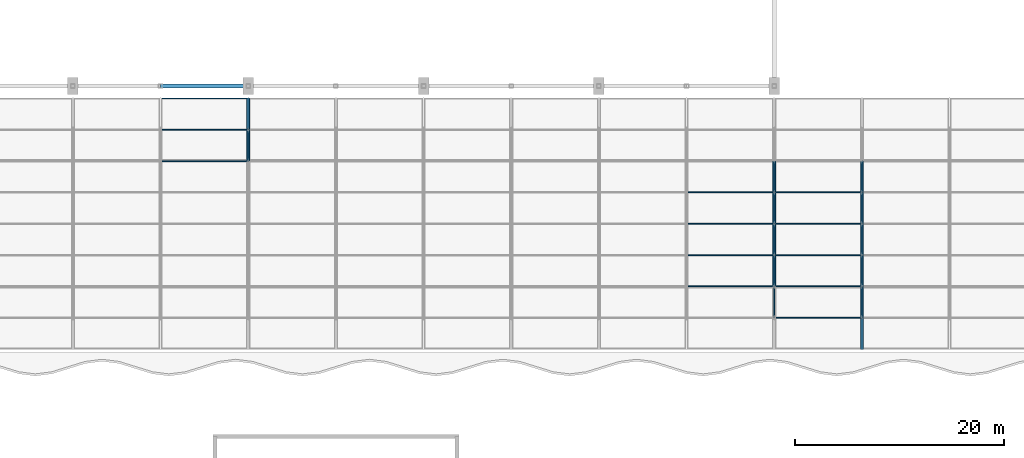
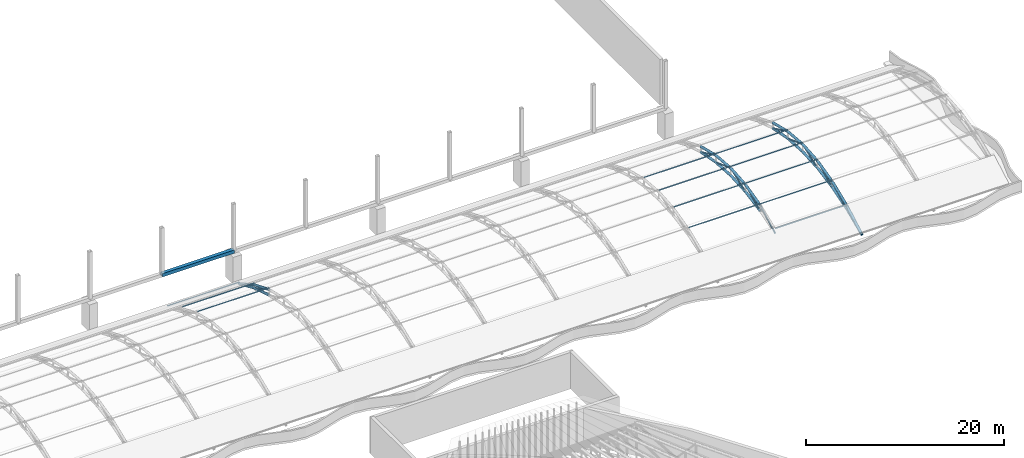
# One storey, part 53 of 163: 48 members.
"""IFC4 building model written with IfcOpenShell, lengths in metres."""

import ifcopenshell
import ifcopenshell.guid

model = None  # the IFC model being written
_history = None  # IfcOwnerHistory: only IFC2X3 demands one
_inside = {}  # id of a spatial element -> (the spatial element, [elements in it])
_under = {}  # id of a project, library or spatial element -> (it, [spatial elements below it])
_declared = {}  # id of a project -> (the project, [libraries it declares])
_typed = {}  # id of a type object -> (the type object, [elements of that type])
_made_of = {}  # id of a material, layer set ... -> (it, [elements and type objects made of it])


def new_model(schema):
    """Start an empty IFC model of exactly this schema.

    Asked for "IFC4X3", IfcOpenShell would pick the latest addendum, in which some entities
    have other attributes; the version numbers below select the first issue.
    IFC2X3 requires an IfcOwnerHistory on every rooted entity: one is made here for all.
    """
    global model, _history
    if schema == "IFC4X3":
        model = ifcopenshell.file(schema_version=(4, 3, 0, 0))
    else:
        model = ifcopenshell.file(schema=schema)
    _inside.clear()
    _under.clear()
    _declared.clear()
    _typed.clear()
    _made_of.clear()
    _history = None
    if model.schema == "IFC2X3":
        org = make("IfcOrganization", Name="unknown")
        user = make(
            "IfcPersonAndOrganization",
            ThePerson=make("IfcPerson", FamilyName="unknown"),
            TheOrganization=org,
        )
        app = make(
            "IfcApplication",
            ApplicationDeveloper=org,
            Version="unknown",
            ApplicationFullName="unknown",
            ApplicationIdentifier="unknown",
        )
        _history = make(
            "IfcOwnerHistory",
            OwningUser=user,
            OwningApplication=app,
            ChangeAction="ADDED",
            CreationDate=0,
        )
    return model


def make(cls, **values):
    """One entity of the class cls with the attributes given. An attribute that is None is left unset."""
    return model.create_entity(
        cls, **{name: value for name, value in values.items() if value is not None}
    )


def rooted(cls, **values):
    """An entity with a GlobalId (a new one), such as an element, a storey or a relation."""
    return make(cls, GlobalId=ifcopenshell.guid.new(), OwnerHistory=_history, **values)


def si_unit(unit_type, name, prefix=None):
    """IfcSIUnit, for example si_unit("LENGTHUNIT", "METRE", prefix="MILLI")."""
    return make("IfcSIUnit", UnitType=unit_type, Prefix=prefix, Name=name)


def assignment(units):
    """IfcUnitAssignment: the units of a project."""
    return None if units is None else make("IfcUnitAssignment", Units=units)


def point(xyz):
    """IfcCartesianPoint."""
    return None if xyz is None else make("IfcCartesianPoint", Coordinates=xyz)


def direction(xyz):
    """IfcDirection."""
    return None if xyz is None else make("IfcDirection", DirectionRatios=xyz)


def frame(location, z_axis=None, x_axis=None):
    """IfcAxis2Placement3D, a coordinate frame: its origin and axes. An axis left out is left unset."""
    return make(
        "IfcAxis2Placement3D",
        Location=point(location),
        Axis=direction(z_axis),
        RefDirection=direction(x_axis),
    )


def frame_2d(location, x_axis=None):
    """IfcAxis2Placement2D, a coordinate frame in the plane: its origin and x axis."""
    return make(
        "IfcAxis2Placement2D", Location=point(location), RefDirection=direction(x_axis)
    )


def origin():
    """The frame at (0, 0, 0) with its axes left unset."""
    return frame((0.0, 0.0, 0.0))


def origin_2d():
    """The frame at (0, 0) in the plane with its x axis left unset."""
    return frame_2d((0.0, 0.0))


def place(relative_to, where):
    """IfcLocalPlacement: puts the frame where relative to a parent placement (None: the world)."""
    return make(
        "IfcLocalPlacement", PlacementRelTo=relative_to, RelativePlacement=where
    )


def context(
    kind, dimensions, precision=None, world=None, true_north=None, identifier=None
):
    """IfcGeometricRepresentationContext, for example the 3D "Model" context."""
    return make(
        "IfcGeometricRepresentationContext",
        ContextIdentifier=identifier,
        ContextType=kind,
        CoordinateSpaceDimension=dimensions,
        Precision=precision,
        WorldCoordinateSystem=world,
        TrueNorth=true_north,
    )


def subcontext(parent, identifier, kind, view, scale=None):
    """IfcGeometricRepresentationSubContext, for example "Body" below "Model"."""
    return make(
        "IfcGeometricRepresentationSubContext",
        ContextIdentifier=identifier,
        ContextType=kind,
        ParentContext=parent,
        TargetScale=scale,
        TargetView=view,
    )


def project(units=None, contexts=None):
    """IfcProject with its units and contexts."""
    return rooted(
        "IfcProject",
        Name="project",
        RepresentationContexts=contexts,
        UnitsInContext=assignment(units),
    )


def spatial(cls, under=None, at=None, **own):
    """A site, building, storey or space (cls), placed at a placement, below another one or the project."""
    s = rooted(cls, ObjectPlacement=at, **own)
    if under is not None:
        _under.setdefault(under.id(), (under, []))[1].append(s)
    return s


def profile(cls, at=None, kind="AREA", **sizes):
    """A parametric profile (cls). Its sizes go by their IFC names, for example OverallWidth=200.0."""
    return make(cls, ProfileType=kind, Position=at, **sizes)


def hollow_rectangle(**sizes):
    """IfcRectangleHollowProfileDef."""
    return profile("IfcRectangleHollowProfileDef", **sizes)


def hollow_circle(**sizes):
    """IfcCircleHollowProfileDef."""
    return profile("IfcCircleHollowProfileDef", **sizes)


def extrude(swept, where, along, depth):
    """IfcExtrudedAreaSolid: the profile swept, set in the frame where, extruded along a direction by depth."""
    return make(
        "IfcExtrudedAreaSolid",
        SweptArea=swept,
        Position=where,
        ExtrudedDirection=direction(along),
        Depth=depth,
    )


def shape(context_of_items, identifier, shape_type, items):
    """IfcShapeRepresentation: the items that make up one representation, for example the "Body"."""
    return make(
        "IfcShapeRepresentation",
        ContextOfItems=context_of_items,
        RepresentationIdentifier=identifier,
        RepresentationType=shape_type,
        Items=items,
    )


def material(Name=None, Category=None):
    """IfcMaterial."""
    return make("IfcMaterial", Name=Name, Category=Category)


def material_profile(
    of_material, cross_section, Name=None, Category=None, Priority=None
):
    """IfcMaterialProfile: a cross section and its material."""
    return make(
        "IfcMaterialProfile",
        Name=Name,
        Material=of_material,
        Profile=cross_section,
        Priority=Priority,
        Category=Category,
    )


def profile_set(profiles, Name=None, composite=None):
    """IfcMaterialProfileSet."""
    return make(
        "IfcMaterialProfileSet",
        Name=Name,
        MaterialProfiles=profiles,
        CompositeProfile=composite,
    )


def made_of(thing, what):
    """Note that an element or type object is made of a material, layer set ...; save() writes the relation."""
    if what is not None:
        _made_of.setdefault(what.id(), (what, []))[1].append(thing)
    return thing


def type_object(cls, material=None, **own):
    """A type object (cls), such as IfcWallType, which elements share."""
    return made_of(rooted(cls, **own), material)


def element(
    cls,
    number,
    at=None,
    inside=None,
    cuts=None,
    type_object=None,
    material=None,
    context=None,
    identifier="Body",
    shape_type=None,
    held_by="IfcProductDefinitionShape",
    body=None,
    shapes=None,
    **own,
):
    """One element of the class cls, such as IfcWall. Its Tag is "e" and its number.

    at: its placement. inside: the storey or other place that contains it. cuts: it is an
    opening in that element (IfcRelVoidsElement). A single representation is given by context,
    identifier, shape_type and body (its items); several are given by shapes. held_by: the class
    of the entity that holds the representations. save() writes the other relations.
    """
    e = rooted(cls, Tag="e%d" % number, ObjectPlacement=at, **own)
    if body is not None:
        shapes = [shape(context, identifier, shape_type, body)]
    if shapes is not None:
        e.Representation = make(held_by, Representations=shapes)
    if inside is not None:
        _inside.setdefault(inside.id(), (inside, []))[1].append(e)
    if cuts is not None:
        rooted(
            "IfcRelVoidsElement", RelatingBuildingElement=cuts, RelatedOpeningElement=e
        )
    if type_object is not None:
        _typed.setdefault(type_object.id(), (type_object, []))[1].append(e)
    return made_of(e, material)


def aggregate(whole, parts):
    """IfcRelAggregates: a whole, such as a stair, and the parts it consists of."""
    return rooted("IfcRelAggregates", RelatingObject=whole, RelatedObjects=parts)


def save(model, path):
    """Write the relations noted so far, then the file.

    IfcRelAggregates (storeys below a building ...), IfcRelContainedInSpatialStructure (elements
    in a storey), IfcRelDefinesByType, IfcRelAssociatesMaterial and IfcRelDeclares: one each for
    every whole, place, type object, material and project.
    """
    for whole, parts in _under.values():
        aggregate(whole, parts)
    for where, things in _inside.values():
        rooted(
            "IfcRelContainedInSpatialStructure",
            RelatedElements=things,
            RelatingStructure=where,
        )
    for kind, things in _typed.values():
        rooted("IfcRelDefinesByType", RelatedObjects=things, RelatingType=kind)
    for what, things in _made_of.values():
        rooted("IfcRelAssociatesMaterial", RelatedObjects=things, RelatingMaterial=what)
    for by, libraries in _declared.values():
        rooted("IfcRelDeclares", RelatingContext=by, RelatedDefinitions=libraries)
    model.write(path)


model = new_model("IFC4")

# Units and contexts
model_context = context("Model", 3, precision=1e-05, world=origin(), true_north=direction((0.0, 1.0)))
body_context = subcontext(model_context, "Body", "Model", "MODEL_VIEW")
ifc_project = project(units=[si_unit("LENGTHUNIT", "METRE"), si_unit("AREAUNIT", "SQUARE_METRE"), si_unit("VOLUMEUNIT", "CUBIC_METRE"), si_unit("PLANEANGLEUNIT", "RADIAN"), si_unit("MASSUNIT", "GRAM", prefix="KILO")], contexts=[model_context])

# Site, building, storey
site_placement = place(None, origin())
site = spatial("IfcSite", under=ifc_project, at=site_placement, CompositionType="ELEMENT")
building_placement = place(site_placement, origin())
building = spatial("IfcBuilding", under=site, at=building_placement, Name="Rain Tree Exposition and Congress Centre", CompositionType="ELEMENT")
storey_placement = place(building_placement, frame((0.0, 0.0, 10.5)))
storey = spatial("IfcBuildingStorey", under=building, at=storey_placement, Name="L02", CompositionType="ELEMENT", Elevation=10.5)

# Members
ifc_material_1 = material(Name="Steel S355J2H", Category="steel")
ifc_material_profile_1 = material_profile(ifc_material_1, hollow_circle(Radius=0.090087890625, WallThickness=0.008056640625, at=origin_2d()), Name="CHS 180x8")
ifc_profile_set_1 = profile_set([ifc_material_profile_1], Name="Steel S355J2H")
member_type_1 = type_object("IfcMemberType", Name="Steel brace member CHS 180x8", PredefinedType="BRACE", material=ifc_profile_set_1)
for number, where, z_axis, x_axis, name in (
    (1, (193.199951171875, 96.60009765625, 1.4423828125), (0.0, -0.880818418444, 0.473454236151), (1.0, 0.0, 0.0), "Roof truss 24 diagonal 6"),
    (2, (243.60009765625, 78.60009765625, 1.4423828125), (0.0, 0.880818418444, 0.473454236151), (-1.0, 0.0, 0.0), "Roof truss 30 diagonal 1"),
):
    element("IfcMember", number, at=place(storey_placement, frame(where, z_axis=z_axis, x_axis=x_axis)), inside=storey, type_object=member_type_1, Name=name, PredefinedType="BRACE", context=body_context, shape_type="SweptSolid", body=[
        extrude(hollow_circle(Radius=0.090087890625, WallThickness=0.008056640625, at=origin_2d()), origin(), (0.0, 0.0, 1.0), 3.406005859375),
    ])
member_1_placement = place(storey_placement, frame((243.60009765625, 81.60009765625, 2.3798828125), z_axis=(0.0, 0.905430616583, 0.424494285655), x_axis=(-1.0, 0.0, 0.0)))
element("IfcMember", 3, at=member_1_placement, inside=storey, type_object=member_type_1, Name="Roof truss 30 diagonal 2", PredefinedType="BRACE", context=body_context, shape_type="SweptSolid", body=[
    extrude(hollow_circle(Radius=0.090087890625, WallThickness=0.008056640625, at=origin_2d()), origin(), (0.0, 0.0, 1.0), 3.313232421875),
])
for number, where, z_axis, x_axis, name in (
    (4, (243.60009765625, 84.60009765625, 2.9423828125), (0.0, 0.940121356633, 0.340839896143), (-1.0, 0.0, 0.0), "Roof truss 30 diagonal 3"),
    (5, (243.60009765625, 90.60009765625, 2.9423828125), (0.0, -0.940121356633, 0.340839896143), (1.0, 0.0, 0.0), "Roof truss 30 diagonal 4"),
):
    element("IfcMember", number, at=place(storey_placement, frame(where, z_axis=z_axis, x_axis=x_axis)), inside=storey, type_object=member_type_1, Name=name, PredefinedType="BRACE", context=body_context, shape_type="SweptSolid", body=[
        extrude(hollow_circle(Radius=0.090087890625, WallThickness=0.008056640625, at=origin_2d()), origin(), (0.0, 0.0, 1.0), 3.191162109375),
    ])
member_2_placement = place(storey_placement, frame((243.60009765625, 93.60009765625, 2.3798828125), z_axis=(0.0, -0.905430616583, 0.424494285655), x_axis=(1.0, 0.0, 0.0)))
element("IfcMember", 6, at=member_2_placement, inside=storey, type_object=member_type_1, Name="Roof truss 30 diagonal 5", PredefinedType="BRACE", context=body_context, shape_type="SweptSolid", body=[
    extrude(hollow_circle(Radius=0.090087890625, WallThickness=0.008056640625, at=origin_2d()), origin(), (0.0, 0.0, 1.0), 3.313232421875),
])
member_3_placement = place(storey_placement, frame((252.0, 78.60009765625, 1.4423828125), z_axis=(0.0, 0.880818418444, 0.473454236151), x_axis=(-1.0, 0.0, 0.0)))
element("IfcMember", 7, at=member_3_placement, inside=storey, type_object=member_type_1, Name="Roof truss 31 diagonal 1", PredefinedType="BRACE", context=body_context, shape_type="SweptSolid", body=[
    extrude(hollow_circle(Radius=0.090087890625, WallThickness=0.008056640625, at=origin_2d()), origin(), (0.0, 0.0, 1.0), 3.406005859375),
])
member_4_placement = place(storey_placement, frame((252.0, 81.60009765625, 2.3798828125), z_axis=(0.0, 0.905430616583, 0.424494285655), x_axis=(-1.0, 0.0, 0.0)))
element("IfcMember", 8, at=member_4_placement, inside=storey, type_object=member_type_1, Name="Roof truss 31 diagonal 2", PredefinedType="BRACE", context=body_context, shape_type="SweptSolid", body=[
    extrude(hollow_circle(Radius=0.090087890625, WallThickness=0.008056640625, at=origin_2d()), origin(), (0.0, 0.0, 1.0), 3.313232421875),
])
for number, where, z_axis, x_axis, name in (
    (9, (252.0, 84.60009765625, 2.9423828125), (0.0, 0.940121356633, 0.340839896143), (-1.0, 0.0, 0.0), "Roof truss 31 diagonal 3"),
    (10, (252.0, 90.60009765625, 2.9423828125), (0.0, -0.940121356633, 0.340839896143), (1.0, 0.0, 0.0), "Roof truss 31 diagonal 4"),
):
    element("IfcMember", number, at=place(storey_placement, frame(where, z_axis=z_axis, x_axis=x_axis)), inside=storey, type_object=member_type_1, Name=name, PredefinedType="BRACE", context=body_context, shape_type="SweptSolid", body=[
        extrude(hollow_circle(Radius=0.090087890625, WallThickness=0.008056640625, at=origin_2d()), origin(), (0.0, 0.0, 1.0), 3.191162109375),
    ])
member_5_placement = place(storey_placement, frame((252.0, 93.60009765625, 2.3798828125), z_axis=(0.0, -0.905430616583, 0.424494285655), x_axis=(1.0, 0.0, 0.0)))
element("IfcMember", 11, at=member_5_placement, inside=storey, type_object=member_type_1, Name="Roof truss 31 diagonal 5", PredefinedType="BRACE", context=body_context, shape_type="SweptSolid", body=[
    extrude(hollow_circle(Radius=0.090087890625, WallThickness=0.008056640625, at=origin_2d()), origin(), (0.0, 0.0, 1.0), 3.313232421875),
])
ifc_material_2 = material(Name="Steel S355J2H", Category="steel")
ifc_material_profile_2 = material_profile(ifc_material_2, hollow_circle(Radius=0.14990234375, WallThickness=0.013916015625, at=origin_2d()), Name="CHS 300x14")
ifc_profile_set_2 = profile_set([ifc_material_profile_2], Name="Steel S355J2H")
member_type_2 = type_object("IfcMemberType", Name="Steel chord member CHS 300x14", PredefinedType="CHORD", material=ifc_profile_set_2)
member_6_placement = place(storey_placement, frame((193.199951171875, 93.60009765625, 3.054931640625), z_axis=(0.0, 0.926466577122, -0.376377046956), x_axis=(-1.0, 0.0, 0.0)))
element("IfcMember", 12, at=member_6_placement, inside=storey, type_object=member_type_2, Name="Roof truss 24 top chord 7", PredefinedType="CHORD", context=body_context, shape_type="SweptSolid", body=[
    extrude(hollow_circle(Radius=0.14990234375, WallThickness=0.013916015625, at=origin_2d()), origin(), (0.0, 0.0, 1.0), 3.238037109375),
])
member_7_placement = place(storey_placement, frame((193.199951171875, 93.60009765625, 2.3798828125), z_axis=(0.0, 0.954479978035, -0.298274993136), x_axis=(-1.0, 0.0, 0.0)))
element("IfcMember", 13, at=member_7_placement, inside=storey, type_object=member_type_2, Name="Roof truss 24 bottom chord 7", PredefinedType="CHORD", context=body_context, shape_type="SweptSolid", body=[
    extrude(hollow_circle(Radius=0.14990234375, WallThickness=0.013916015625, at=origin_2d()), origin(), (0.0, 0.0, 1.0), 3.14306640625),
])
member_8_placement = place(storey_placement, frame((193.199951171875, 96.60009765625, 1.836181640625), z_axis=(0.0, 0.869238262324, -0.494393409455), x_axis=(-1.0, 0.0, 0.0)))
element("IfcMember", 14, at=member_8_placement, inside=storey, type_object=member_type_2, Name="Roof truss 24 top chord 8", PredefinedType="CHORD", context=body_context, shape_type="SweptSolid", body=[
    extrude(hollow_circle(Radius=0.14990234375, WallThickness=0.013916015625, at=origin_2d()), origin(), (0.0, 0.0, 1.0), 3.451416015625),
])
member_9_placement = place(storey_placement, frame((193.199951171875, 96.60009765625, 1.4423828125), z_axis=(0.0, 0.916157334902, -0.40081883402), x_axis=(-1.0, 0.0, 0.0)))
element("IfcMember", 15, at=member_9_placement, inside=storey, type_object=member_type_2, Name="Roof truss 24 bottom chord 8", PredefinedType="CHORD", context=body_context, shape_type="SweptSolid", body=[
    extrude(hollow_circle(Radius=0.14990234375, WallThickness=0.013916015625, at=origin_2d()), origin(), (0.0, 0.0, 1.0), 3.274658203125),
])
member_10_placement = place(storey_placement, frame((243.60009765625, 81.60009765625, 3.054931640625), z_axis=(0.0, 0.971539868448, 0.236876094228), x_axis=(-1.0, 0.0, 0.0)))
element("IfcMember", 16, at=member_10_placement, inside=storey, type_object=member_type_2, Name="Roof truss 30 top chord 3", PredefinedType="CHORD", context=body_context, shape_type="SweptSolid", body=[
    extrude(hollow_circle(Radius=0.14990234375, WallThickness=0.013916015625, at=origin_2d()), origin(), (0.0, 0.0, 1.0), 3.087890625),
])
member_11_placement = place(storey_placement, frame((243.60009765625, 81.60009765625, 2.3798828125), z_axis=(0.0, 0.982872186934, 0.18428853505), x_axis=(-1.0, 0.0, 0.0)))
element("IfcMember", 17, at=member_11_placement, inside=storey, type_object=member_type_2, Name="Roof truss 30 bottom chord 3", PredefinedType="CHORD", context=body_context, shape_type="SweptSolid", body=[
    extrude(hollow_circle(Radius=0.14990234375, WallThickness=0.013916015625, at=origin_2d()), origin(), (0.0, 0.0, 1.0), 3.05224609375),
])
member_12_placement = place(storey_placement, frame((243.60009765625, 84.60009765625, 3.786376953125), z_axis=(0.0, 0.996718090462, 0.0809508996), x_axis=(-1.0, 0.0, 0.0)))
element("IfcMember", 18, at=member_12_placement, inside=storey, type_object=member_type_2, Name="Roof truss 30 top chord 4", PredefinedType="CHORD", context=body_context, shape_type="SweptSolid", body=[
    extrude(hollow_circle(Radius=0.14990234375, WallThickness=0.013916015625, at=origin_2d()), origin(), (0.0, 0.0, 1.0), 3.009765625),
])
member_13_placement = place(storey_placement, frame((243.60009765625, 84.60009765625, 2.9423828125), z_axis=(0.0, 0.998052578483, 0.062378286155), x_axis=(-1.0, 0.0, 0.0)))
element("IfcMember", 19, at=member_13_placement, inside=storey, type_object=member_type_2, Name="Roof truss 30 bottom chord 4", PredefinedType="CHORD", context=body_context, shape_type="SweptSolid", body=[
    extrude(hollow_circle(Radius=0.14990234375, WallThickness=0.013916015625, at=origin_2d()), origin(), (0.0, 0.0, 1.0), 3.005859375),
])
member_14_placement = place(storey_placement, frame((243.60009765625, 87.60009765625, 4.030029296875), z_axis=(0.0, 0.996718090462, -0.0809508996), x_axis=(-1.0, 0.0, 0.0)))
element("IfcMember", 20, at=member_14_placement, inside=storey, type_object=member_type_2, Name="Roof truss 30 top chord 5", PredefinedType="CHORD", context=body_context, shape_type="SweptSolid", body=[
    extrude(hollow_circle(Radius=0.14990234375, WallThickness=0.013916015625, at=origin_2d()), origin(), (0.0, 0.0, 1.0), 3.009765625),
])
member_15_placement = place(storey_placement, frame((243.60009765625, 87.60009765625, 3.1298828125), z_axis=(0.0, 0.998052578483, -0.062378286155), x_axis=(-1.0, 0.0, 0.0)))
element("IfcMember", 21, at=member_15_placement, inside=storey, type_object=member_type_2, Name="Roof truss 30 bottom chord 5", PredefinedType="CHORD", context=body_context, shape_type="SweptSolid", body=[
    extrude(hollow_circle(Radius=0.14990234375, WallThickness=0.013916015625, at=origin_2d()), origin(), (0.0, 0.0, 1.0), 3.005859375),
])
member_16_placement = place(storey_placement, frame((243.60009765625, 90.60009765625, 3.786376953125), z_axis=(0.0, 0.971539868448, -0.236876094228), x_axis=(-1.0, 0.0, 0.0)))
element("IfcMember", 22, at=member_16_placement, inside=storey, type_object=member_type_2, Name="Roof truss 30 top chord 6", PredefinedType="CHORD", context=body_context, shape_type="SweptSolid", body=[
    extrude(hollow_circle(Radius=0.14990234375, WallThickness=0.013916015625, at=origin_2d()), origin(), (0.0, 0.0, 1.0), 3.087890625),
])
member_17_placement = place(storey_placement, frame((243.60009765625, 90.60009765625, 2.9423828125), z_axis=(0.0, 0.982872186934, -0.18428853505), x_axis=(-1.0, 0.0, 0.0)))
element("IfcMember", 23, at=member_17_placement, inside=storey, type_object=member_type_2, Name="Roof truss 30 bottom chord 6", PredefinedType="CHORD", context=body_context, shape_type="SweptSolid", body=[
    extrude(hollow_circle(Radius=0.14990234375, WallThickness=0.013916015625, at=origin_2d()), origin(), (0.0, 0.0, 1.0), 3.05224609375),
])
member_18_placement = place(storey_placement, frame((252.0, 75.60009765625, 0.1298828125), z_axis=(0.0, 0.869238262324, 0.494393409455), x_axis=(-1.0, 0.0, 0.0)))
element("IfcMember", 24, at=member_18_placement, inside=storey, type_object=member_type_2, Name="Roof truss 31 top chord 1", PredefinedType="CHORD", context=body_context, shape_type="SweptSolid", body=[
    extrude(hollow_circle(Radius=0.14990234375, WallThickness=0.013916015625, at=origin_2d()), origin(), (0.0, 0.0, 1.0), 3.451416015625),
])
member_19_placement = place(storey_placement, frame((252.0, 75.60009765625, 0.1298828125), z_axis=(0.0, 0.916157334902, 0.40081883402), x_axis=(-1.0, 0.0, 0.0)))
element("IfcMember", 25, at=member_19_placement, inside=storey, type_object=member_type_2, Name="Roof truss 31 bottom chord 1", PredefinedType="CHORD", context=body_context, shape_type="SweptSolid", body=[
    extrude(hollow_circle(Radius=0.14990234375, WallThickness=0.013916015625, at=origin_2d()), origin(), (0.0, 0.0, 1.0), 3.274658203125),
])
member_20_placement = place(storey_placement, frame((252.0, 78.60009765625, 1.836181640625), z_axis=(0.0, 0.926466577122, 0.376377046956), x_axis=(-1.0, 0.0, 0.0)))
element("IfcMember", 26, at=member_20_placement, inside=storey, type_object=member_type_2, Name="Roof truss 31 top chord 2", PredefinedType="CHORD", context=body_context, shape_type="SweptSolid", body=[
    extrude(hollow_circle(Radius=0.14990234375, WallThickness=0.013916015625, at=origin_2d()), origin(), (0.0, 0.0, 1.0), 3.238037109375),
])
member_21_placement = place(storey_placement, frame((252.0, 78.60009765625, 1.4423828125), z_axis=(0.0, 0.954479978035, 0.298274993136), x_axis=(-1.0, 0.0, 0.0)))
element("IfcMember", 27, at=member_21_placement, inside=storey, type_object=member_type_2, Name="Roof truss 31 bottom chord 2", PredefinedType="CHORD", context=body_context, shape_type="SweptSolid", body=[
    extrude(hollow_circle(Radius=0.14990234375, WallThickness=0.013916015625, at=origin_2d()), origin(), (0.0, 0.0, 1.0), 3.14306640625),
])
member_22_placement = place(storey_placement, frame((252.0, 81.60009765625, 3.054931640625), z_axis=(0.0, 0.971539868448, 0.236876094228), x_axis=(-1.0, 0.0, 0.0)))
element("IfcMember", 28, at=member_22_placement, inside=storey, type_object=member_type_2, Name="Roof truss 31 top chord 3", PredefinedType="CHORD", context=body_context, shape_type="SweptSolid", body=[
    extrude(hollow_circle(Radius=0.14990234375, WallThickness=0.013916015625, at=origin_2d()), origin(), (0.0, 0.0, 1.0), 3.087890625),
])
member_23_placement = place(storey_placement, frame((252.0, 81.60009765625, 2.3798828125), z_axis=(0.0, 0.982872186934, 0.18428853505), x_axis=(-1.0, 0.0, 0.0)))
element("IfcMember", 29, at=member_23_placement, inside=storey, type_object=member_type_2, Name="Roof truss 31 bottom chord 3", PredefinedType="CHORD", context=body_context, shape_type="SweptSolid", body=[
    extrude(hollow_circle(Radius=0.14990234375, WallThickness=0.013916015625, at=origin_2d()), origin(), (0.0, 0.0, 1.0), 3.05224609375),
])
member_24_placement = place(storey_placement, frame((252.0, 84.60009765625, 3.786376953125), z_axis=(0.0, 0.996718090462, 0.0809508996), x_axis=(-1.0, 0.0, 0.0)))
element("IfcMember", 30, at=member_24_placement, inside=storey, type_object=member_type_2, Name="Roof truss 31 top chord 4", PredefinedType="CHORD", context=body_context, shape_type="SweptSolid", body=[
    extrude(hollow_circle(Radius=0.14990234375, WallThickness=0.013916015625, at=origin_2d()), origin(), (0.0, 0.0, 1.0), 3.009765625),
])
member_25_placement = place(storey_placement, frame((252.0, 84.60009765625, 2.9423828125), z_axis=(0.0, 0.998052578483, 0.062378286155), x_axis=(-1.0, 0.0, 0.0)))
element("IfcMember", 31, at=member_25_placement, inside=storey, type_object=member_type_2, Name="Roof truss 31 bottom chord 4", PredefinedType="CHORD", context=body_context, shape_type="SweptSolid", body=[
    extrude(hollow_circle(Radius=0.14990234375, WallThickness=0.013916015625, at=origin_2d()), origin(), (0.0, 0.0, 1.0), 3.005859375),
])
member_26_placement = place(storey_placement, frame((252.0, 87.60009765625, 4.030029296875), z_axis=(0.0, 0.996718090462, -0.0809508996), x_axis=(-1.0, 0.0, 0.0)))
element("IfcMember", 32, at=member_26_placement, inside=storey, type_object=member_type_2, Name="Roof truss 31 top chord 5", PredefinedType="CHORD", context=body_context, shape_type="SweptSolid", body=[
    extrude(hollow_circle(Radius=0.14990234375, WallThickness=0.013916015625, at=origin_2d()), origin(), (0.0, 0.0, 1.0), 3.009765625),
])
member_27_placement = place(storey_placement, frame((252.0, 87.60009765625, 3.1298828125), z_axis=(0.0, 0.998052578483, -0.062378286155), x_axis=(-1.0, 0.0, 0.0)))
element("IfcMember", 33, at=member_27_placement, inside=storey, type_object=member_type_2, Name="Roof truss 31 bottom chord 5", PredefinedType="CHORD", context=body_context, shape_type="SweptSolid", body=[
    extrude(hollow_circle(Radius=0.14990234375, WallThickness=0.013916015625, at=origin_2d()), origin(), (0.0, 0.0, 1.0), 3.005859375),
])
member_28_placement = place(storey_placement, frame((252.0, 90.60009765625, 3.786376953125), z_axis=(0.0, 0.971539868448, -0.236876094228), x_axis=(-1.0, 0.0, 0.0)))
element("IfcMember", 34, at=member_28_placement, inside=storey, type_object=member_type_2, Name="Roof truss 31 top chord 6", PredefinedType="CHORD", context=body_context, shape_type="SweptSolid", body=[
    extrude(hollow_circle(Radius=0.14990234375, WallThickness=0.013916015625, at=origin_2d()), origin(), (0.0, 0.0, 1.0), 3.087890625),
])
member_29_placement = place(storey_placement, frame((252.0, 90.60009765625, 2.9423828125), z_axis=(0.0, 0.982872186934, -0.18428853505), x_axis=(-1.0, 0.0, 0.0)))
element("IfcMember", 35, at=member_29_placement, inside=storey, type_object=member_type_2, Name="Roof truss 31 bottom chord 6", PredefinedType="CHORD", context=body_context, shape_type="SweptSolid", body=[
    extrude(hollow_circle(Radius=0.14990234375, WallThickness=0.013916015625, at=origin_2d()), origin(), (0.0, 0.0, 1.0), 3.05224609375),
])
ifc_material_3 = material(Name="Steel S355J2H", Category="steel")
ifc_material_profile_3 = material_profile(ifc_material_3, hollow_rectangle(XDim=0.39990234375, YDim=0.39990234375, WallThickness=0.011962890625, at=origin_2d()), Name="RHS 400x400x12")
ifc_profile_set_3 = profile_set([ifc_material_profile_3], Name="Steel S355J2H")
member_type_3 = type_object("IfcMemberType", Name="Steel chord member RHS 400x400x12", PredefinedType="CHORD", material=ifc_profile_set_3)
member_30_placement = place(storey_placement, frame((184.800048828125, 100.800048828125, 3.5), z_axis=(1.0, 0.0, 0.0), x_axis=(0.0, 1.0, 0.0)))
element("IfcMember", 36, at=member_30_placement, inside=storey, type_object=member_type_3, Name="Eaves chord 1158", PredefinedType="CHORD", context=body_context, shape_type="SweptSolid", body=[
    extrude(hollow_rectangle(XDim=0.39990234375, YDim=0.39990234375, WallThickness=0.011962890625, at=origin_2d()), origin(), (0.0, 0.0, 1.0), 8.39990234375),
])
ifc_material_4 = material(Name="Steel S355J2H", Category="steel")
ifc_material_profile_4 = material_profile(ifc_material_4, hollow_circle(Radius=0.070068359375, WallThickness=0.006103515625, at=origin_2d()), Name="CHS 140x6")
ifc_profile_set_4 = profile_set([ifc_material_profile_4], Name="Steel S355J2H")
member_type_4 = type_object("IfcMemberType", Name="Steel purlin member CHS 140x6", PredefinedType="PURLIN", material=ifc_profile_set_4)
member_31_placement = place(storey_placement, frame((243.60009765625, 78.60009765625, 2.056396484375), z_axis=(1.0, 0.0, 0.0), x_axis=(0.0, 1.0, 0.0)))
element("IfcMember", 37, at=member_31_placement, inside=storey, type_object=member_type_4, Name="Roof purlin 2.30", PredefinedType="PURLIN", context=body_context, shape_type="SweptSolid", body=[
    extrude(hollow_circle(Radius=0.070068359375, WallThickness=0.006103515625, at=origin_2d()), origin(), (0.0, 0.0, 1.0), 8.39990234375),
])
member_32_placement = place(storey_placement, frame((235.199951171875, 81.60009765625, 3.27490234375), z_axis=(1.0, 0.0, 0.0), x_axis=(0.0, 1.0, 0.0)))
element("IfcMember", 38, at=member_32_placement, inside=storey, type_object=member_type_4, Name="Roof purlin 3.29", PredefinedType="PURLIN", context=body_context, shape_type="SweptSolid", body=[
    extrude(hollow_circle(Radius=0.070068359375, WallThickness=0.006103515625, at=origin_2d()), origin(), (0.0, 0.0, 1.0), 8.400146484375),
])
member_33_placement = place(storey_placement, frame((243.60009765625, 81.60009765625, 3.27490234375), z_axis=(1.0, 0.0, 0.0), x_axis=(0.0, 1.0, 0.0)))
element("IfcMember", 39, at=member_33_placement, inside=storey, type_object=member_type_4, Name="Roof purlin 3.30", PredefinedType="PURLIN", context=body_context, shape_type="SweptSolid", body=[
    extrude(hollow_circle(Radius=0.070068359375, WallThickness=0.006103515625, at=origin_2d()), origin(), (0.0, 0.0, 1.0), 8.39990234375),
])
member_34_placement = place(storey_placement, frame((235.199951171875, 84.60009765625, 4.00634765625), z_axis=(1.0, 0.0, 0.0), x_axis=(0.0, 1.0, 0.0)))
element("IfcMember", 40, at=member_34_placement, inside=storey, type_object=member_type_4, Name="Roof purlin 4.29", PredefinedType="PURLIN", context=body_context, shape_type="SweptSolid", body=[
    extrude(hollow_circle(Radius=0.070068359375, WallThickness=0.006103515625, at=origin_2d()), origin(), (0.0, 0.0, 1.0), 8.400146484375),
])
member_35_placement = place(storey_placement, frame((243.60009765625, 84.60009765625, 4.00634765625), z_axis=(1.0, 0.0, 0.0), x_axis=(0.0, 1.0, 0.0)))
element("IfcMember", 41, at=member_35_placement, inside=storey, type_object=member_type_4, Name="Roof purlin 4.30", PredefinedType="PURLIN", context=body_context, shape_type="SweptSolid", body=[
    extrude(hollow_circle(Radius=0.070068359375, WallThickness=0.006103515625, at=origin_2d()), origin(), (0.0, 0.0, 1.0), 8.39990234375),
])
member_36_placement = place(storey_placement, frame((235.199951171875, 87.60009765625, 4.25), z_axis=(1.0, 0.0, 0.0), x_axis=(0.0, 1.0, 0.0)))
element("IfcMember", 42, at=member_36_placement, inside=storey, type_object=member_type_4, Name="Roof purlin 5.29", PredefinedType="PURLIN", context=body_context, shape_type="SweptSolid", body=[
    extrude(hollow_circle(Radius=0.070068359375, WallThickness=0.006103515625, at=origin_2d()), origin(), (0.0, 0.0, 1.0), 8.400146484375),
])
member_37_placement = place(storey_placement, frame((243.60009765625, 87.60009765625, 4.25), z_axis=(1.0, 0.0, 0.0), x_axis=(0.0, 1.0, 0.0)))
element("IfcMember", 43, at=member_37_placement, inside=storey, type_object=member_type_4, Name="Roof purlin 5.30", PredefinedType="PURLIN", context=body_context, shape_type="SweptSolid", body=[
    extrude(hollow_circle(Radius=0.070068359375, WallThickness=0.006103515625, at=origin_2d()), origin(), (0.0, 0.0, 1.0), 8.39990234375),
])
member_38_placement = place(storey_placement, frame((235.199951171875, 90.60009765625, 4.00634765625), z_axis=(1.0, 0.0, 0.0), x_axis=(0.0, 1.0, 0.0)))
element("IfcMember", 44, at=member_38_placement, inside=storey, type_object=member_type_4, Name="Roof purlin 6.29", PredefinedType="PURLIN", context=body_context, shape_type="SweptSolid", body=[
    extrude(hollow_circle(Radius=0.070068359375, WallThickness=0.006103515625, at=origin_2d()), origin(), (0.0, 0.0, 1.0), 8.400146484375),
])
for number, where, z_axis, x_axis, name in (
    (45, (243.60009765625, 90.60009765625, 4.00634765625), (1.0, 0.0, 0.0), (0.0, 1.0, 0.0), "Roof purlin 6.30"),
    (46, (184.800048828125, 93.60009765625, 3.27490234375), (1.0, 0.0, 0.0), (0.0, 1.0, 0.0), "Roof purlin 7.23"),
    (47, (184.800048828125, 96.60009765625, 2.056396484375), (1.0, 0.0, 0.0), (0.0, 1.0, 0.0), "Roof purlin 8.23"),
    (48, (184.800048828125, 99.60009765625, 0.35009765625), (1.0, 0.0, 0.0), (0.0, 1.0, 0.0), "Roof purlin 9.23"),
):
    element("IfcMember", number, at=place(storey_placement, frame(where, z_axis=z_axis, x_axis=x_axis)), inside=storey, type_object=member_type_4, Name=name, PredefinedType="PURLIN", context=body_context, shape_type="SweptSolid", body=[
        extrude(hollow_circle(Radius=0.070068359375, WallThickness=0.006103515625, at=origin_2d()), origin(), (0.0, 0.0, 1.0), 8.39990234375),
    ])

save(model, "model.ifc")
